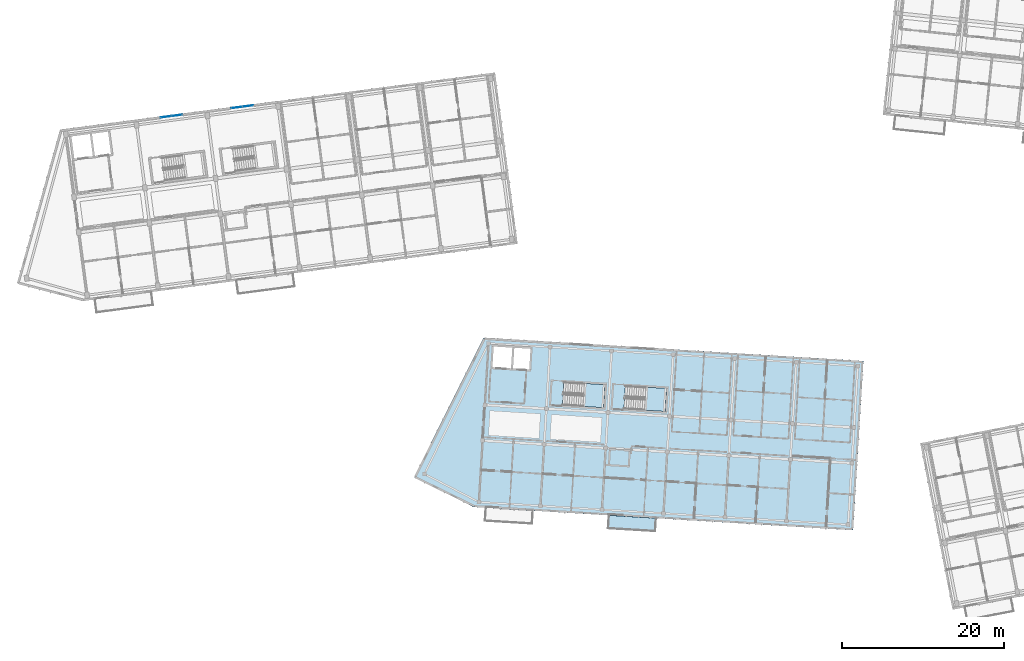
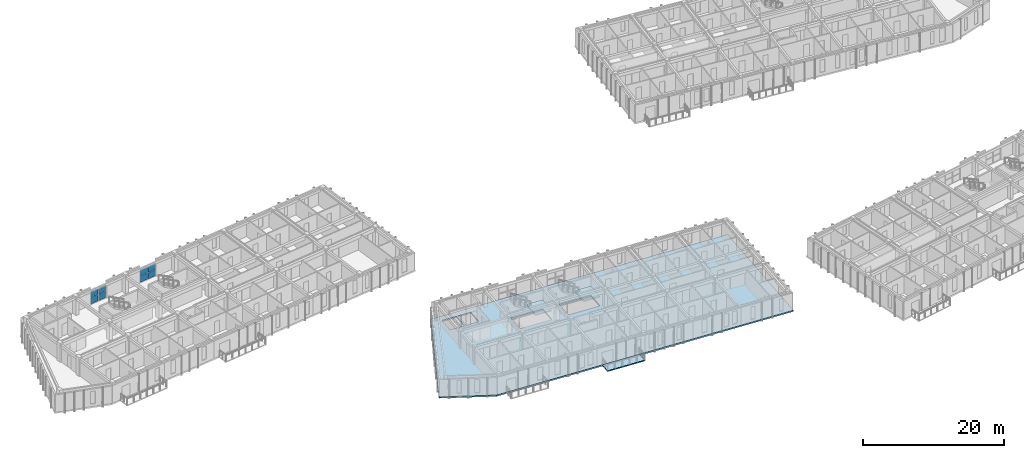
# One storey, part 17 of 66: 8 plates, 4 slabs, 4 elements without a shape of their own.
"""IFC4 building model written with IfcOpenShell, lengths in metres."""

from ifc_helpers import new_model, si_unit, direction, frame, origin, origin_2d, place, context, subcontext, project, spatial, polyline, rectangle, outline, extrude, material, layer, layer_set, type_object, element, aggregate, save


model = new_model("IFC4")

# Units and contexts
model_context = context("Model", 3, precision=1e-05, world=origin(), true_north=direction((0.0, 1.0)))
body_context = subcontext(model_context, "Body", "Model", "MODEL_VIEW")
ifc_project = project(units=[si_unit("LENGTHUNIT", "METRE"), si_unit("AREAUNIT", "SQUARE_METRE"), si_unit("VOLUMEUNIT", "CUBIC_METRE"), si_unit("PLANEANGLEUNIT", "RADIAN"), si_unit("MASSUNIT", "GRAM", prefix="KILO")], contexts=[model_context])

# Site, building, storey
site_placement = place(None, origin())
site = spatial("IfcSite", under=ifc_project, at=site_placement, CompositionType="ELEMENT")
building_placement = place(site_placement, origin())
building = spatial("IfcBuilding", under=site, at=building_placement, Name="Kestramere Prow Commons", CompositionType="ELEMENT")
storey_placement = place(building_placement, frame((0.0, 0.0, 14.89990234375)))
storey = spatial("IfcBuildingStorey", under=building, at=storey_placement, Name="L04", CompositionType="ELEMENT", Elevation=14.89990234375)

# Curtain wall, plates
ifc_material_1 = material(Name="Anodised Aluminium and Low-E Glass", Category="aluminium")
curtain_wall_type = type_object("IfcCurtainWallType", Name="CW-03 Glazed Curtain Wall 2830x2320", PredefinedType="USERDEFINED", material=ifc_material_1)
curtain_wall_1_placement = place(storey_placement, origin())
curtain_wall_1 = element("IfcCurtainWall", 1, at=curtain_wall_1_placement, inside=storey, type_object=curtain_wall_type, Name="Block A L04 Stairwell Vertical Glazing 2", ObjectType="GLAZED CURTAIN WALL", PredefinedType="USERDEFINED")
ifc_material_2 = material(Name="Low-E Laminated Double Glazing", Category="glass")
ifc_layer_1 = layer(ifc_material_2, 0.028076171875)
ifc_layer_set_1 = layer_set([ifc_layer_1], Name="Low-E Laminated Double Glazing")
plate_type = type_object("IfcPlateType", Name="CW-PNL-28", PredefinedType="CURTAIN_PANEL", material=ifc_layer_set_1)
plate_1_placement = place(storey_placement, frame((20.922607421875, 93.982177734375, 0.065185546875), z_axis=(0.0, 0.0, 1.0), x_axis=(0.991444867297, 0.13052614723, 0.0)))
plate_1 = element("IfcPlate", 2, at=plate_1_placement, type_object=plate_type, Name="CW-03 panel 1.1", PredefinedType="CURTAIN_PANEL", context=body_context, shape_type="SweptSolid", body=[
    extrude(rectangle(XDim=1.3173828125, YDim=0.028076171875, at=origin_2d()), origin(), (0.0, 0.0, 1.0), 1.0625),
])
plate_2_placement = place(storey_placement, frame((20.922607421875, 93.982177734375, 1.192626953125), z_axis=(0.0, 0.0, 1.0), x_axis=(0.991444867297, 0.13052614723, 0.0)))
plate_2 = element("IfcPlate", 3, at=plate_2_placement, type_object=plate_type, Name="CW-03 panel 1.2", PredefinedType="CURTAIN_PANEL", context=body_context, shape_type="SweptSolid", body=[
    extrude(rectangle(XDim=1.3173828125, YDim=0.028076171875, at=origin_2d()), origin(), (0.0, 0.0, 1.0), 1.0625),
])
plate_3_placement = place(storey_placement, frame((22.29345703125, 94.16259765625, 0.065185546875), z_axis=(0.0, 0.0, 1.0), x_axis=(0.991444867297, 0.13052614723, 0.0)))
plate_3 = element("IfcPlate", 4, at=plate_3_placement, type_object=plate_type, Name="CW-03 panel 2.1", PredefinedType="CURTAIN_PANEL", context=body_context, shape_type="SweptSolid", body=[
    extrude(rectangle(XDim=1.3173828125, YDim=0.028076171875, at=origin_2d()), origin(), (0.0, 0.0, 1.0), 1.0625),
])
plate_4_placement = place(storey_placement, frame((22.29345703125, 94.16259765625, 1.192626953125), z_axis=(0.0, 0.0, 1.0), x_axis=(0.991444867297, 0.13052614723, 0.0)))
plate_4 = element("IfcPlate", 5, at=plate_4_placement, type_object=plate_type, Name="CW-03 panel 2.2", PredefinedType="CURTAIN_PANEL", context=body_context, shape_type="SweptSolid", body=[
    extrude(rectangle(XDim=1.3173828125, YDim=0.028076171875, at=origin_2d()), origin(), (0.0, 0.0, 1.0), 1.0625),
])
aggregate(curtain_wall_1, [plate_1, plate_2, plate_3, plate_4])

curtain_wall_2_placement = place(storey_placement, origin())
curtain_wall_2 = element("IfcCurtainWall", 6, at=curtain_wall_2_placement, inside=storey, type_object=curtain_wall_type, Name="Block A L04 Stairwell Vertical Glazing 3", ObjectType="GLAZED CURTAIN WALL", PredefinedType="USERDEFINED")
plate_5_placement = place(storey_placement, frame((29.6474609375, 95.130859375, 0.065185546875), z_axis=(0.0, 0.0, 1.0), x_axis=(0.991444821571, 0.130526494555, 0.0)))
plate_5 = element("IfcPlate", 7, at=plate_5_placement, type_object=plate_type, Name="CW-03 panel 1.1", PredefinedType="CURTAIN_PANEL", context=body_context, shape_type="SweptSolid", body=[
    extrude(rectangle(XDim=1.3173828125, YDim=0.028076171875, at=origin_2d()), origin(), (0.0, 0.0, 1.0), 1.0625),
])
plate_6_placement = place(storey_placement, frame((29.6474609375, 95.130859375, 1.192626953125), z_axis=(0.0, 0.0, 1.0), x_axis=(0.991444821571, 0.130526494555, 0.0)))
plate_6 = element("IfcPlate", 8, at=plate_6_placement, type_object=plate_type, Name="CW-03 panel 1.2", PredefinedType="CURTAIN_PANEL", context=body_context, shape_type="SweptSolid", body=[
    extrude(rectangle(XDim=1.3173828125, YDim=0.028076171875, at=origin_2d()), origin(), (0.0, 0.0, 1.0), 1.0625),
])
plate_7_placement = place(storey_placement, frame((31.01806640625, 95.311279296875, 0.065185546875), z_axis=(0.0, 0.0, 1.0), x_axis=(0.991444821571, 0.130526494555, 0.0)))
plate_7 = element("IfcPlate", 9, at=plate_7_placement, type_object=plate_type, Name="CW-03 panel 2.1", PredefinedType="CURTAIN_PANEL", context=body_context, shape_type="SweptSolid", body=[
    extrude(rectangle(XDim=1.3173828125, YDim=0.028076171875, at=origin_2d()), origin(), (0.0, 0.0, 1.0), 1.0625),
])
plate_8_placement = place(storey_placement, frame((31.01806640625, 95.311279296875, 1.192626953125), z_axis=(0.0, 0.0, 1.0), x_axis=(0.991444821571, 0.130526494555, 0.0)))
plate_8 = element("IfcPlate", 10, at=plate_8_placement, type_object=plate_type, Name="CW-03 panel 2.2", PredefinedType="CURTAIN_PANEL", context=body_context, shape_type="SweptSolid", body=[
    extrude(rectangle(XDim=1.3173828125, YDim=0.028076171875, at=origin_2d()), origin(), (0.0, 0.0, 1.0), 1.0625),
])
aggregate(curtain_wall_2, [plate_5, plate_6, plate_7, plate_8])

# Slabs
ifc_material_3 = material(Name="Precast concrete C40/50", Category="concrete")
ifc_layer_2 = layer(ifc_material_3, 0.179931640625)
ifc_layer_set_2 = layer_set([ifc_layer_2], Name="Precast concrete C40/50")
slab_type_1 = type_object("IfcSlabType", Name="SL-BALC-180", PredefinedType="FLOOR", material=ifc_layer_set_2)
slab_1_placement = place(storey_placement, frame((0.0, 0.0, -0.179931640625)))
element("IfcSlab", 11, at=slab_1_placement, inside=storey, type_object=slab_type_1, Name="Block C L04 Apartment Balcony Slab 3", PredefinedType="FLOOR", context=body_context, shape_type="SweptSolid", body=[
    extrude(outline(polyline([(75.379638671875, 43.224365234375), (81.2685546875, 42.8642578125), (81.369384765625, 44.51123046875), (75.48046875, 44.871337890625), (75.379638671875, 43.224365234375)])), origin(), (0.0, 0.0, 1.0), 0.179931640625),
])
ifc_layer_3 = layer(ifc_material_3, 0.25)
ifc_layer_set_3 = layer_set([ifc_layer_3], Name="Precast concrete C40/50")
slab_type_2 = type_object("IfcSlabType", Name="SL-HC-250", PredefinedType="FLOOR", material=ifc_layer_set_3)
slab_2_placement = place(storey_placement, frame((0.0, 0.0, -0.25)))
element("IfcSlab", 12, at=slab_2_placement, inside=storey, type_object=slab_type_2, Name="Block C L04 Hollowcore Floor Slab", PredefinedType="FLOOR", context=body_context, shape_type="SweptSolid", body=[
    extrude(outline(polyline([(51.52392578125, 49.5927734375), (58.8115234375, 45.890869140625), (105.6240234375, 43.02783203125), (106.89990234375, 63.888671875), (60.08740234375, 66.751953125), (51.52392578125, 49.5927734375)]), holes=[polyline([(61.168212890625, 63.129150390625), (63.464111328125, 62.98876953125), (63.61962890625, 65.533935546875), (61.323974609375, 65.67431640625), (61.168212890625, 63.129150390625)]), polyline([(63.713623046875, 62.973388671875), (65.709716796875, 62.851318359375), (65.865478515625, 65.396728515625), (63.869140625, 65.518798828125), (63.713623046875, 62.973388671875)]), polyline([(69.79833984375, 58.443603515625), (74.888916015625, 58.13232421875), (75.062744140625, 60.976806640625), (69.972412109375, 61.288330078125), (69.79833984375, 58.443603515625)]), polyline([(77.38427734375, 57.9794921875), (82.474609375, 57.668212890625), (82.648681640625, 60.512939453125), (77.55810546875, 60.82421875), (77.38427734375, 57.9794921875)])]), origin(), (0.0, 0.0, 1.0), 0.25),
])

# Stair, slab
ifc_material_4 = material(Name="Concrete C40/50", Category="concrete")
stair_type = type_object("IfcStairType", Name="ST-DOG-1350", PredefinedType="HALF_TURN_STAIR", material=ifc_material_4)
stair_1_placement = place(storey_placement, origin())
stair_1 = element("IfcStair", 13, at=stair_1_placement, inside=storey, type_object=stair_type, Name="L04 Block C Exit Stair 1", PredefinedType="HALF_TURN_STAIR")
ifc_layer_4 = layer(ifc_material_4, 0.199951171875)
ifc_layer_set_4 = layer_set([ifc_layer_4], Name="Concrete C40/50")
slab_type_3 = type_object("IfcSlabType", Name="SL-ST-LAND-200", PredefinedType="LANDING", material=ifc_layer_set_4)
slab_3_placement = place(storey_placement, frame((0.0, 0.0, 1.425048828125)))
slab_3 = element("IfcSlab", 14, at=slab_3_placement, type_object=slab_type_3, Name="ST-C1 landing 1", PredefinedType="LANDING", context=body_context, shape_type="SweptSolid", body=[
    extrude(outline(polyline([(72.313720703125, 58.289794921875), (74.888916015625, 58.13232421875), (75.062744140625, 60.976806640625), (72.487548828125, 61.134521484375), (72.313720703125, 58.289794921875)])), origin(), (0.0, 0.0, 1.0), 0.199951171875),
])
aggregate(stair_1, [slab_3])

stair_2_placement = place(storey_placement, origin())
stair_2 = element("IfcStair", 15, at=stair_2_placement, inside=storey, type_object=stair_type, Name="L04 Block C Exit Stair 2", PredefinedType="HALF_TURN_STAIR")
slab_4_placement = place(storey_placement, frame((0.0, 0.0, 1.425048828125)))
slab_4 = element("IfcSlab", 16, at=slab_4_placement, type_object=slab_type_3, Name="ST-C2 landing 1", PredefinedType="LANDING", context=body_context, shape_type="SweptSolid", body=[
    extrude(outline(polyline([(79.8994140625, 57.82568359375), (82.474609375, 57.668212890625), (82.648681640625, 60.512939453125), (80.073486328125, 60.67041015625), (79.8994140625, 57.82568359375)])), origin(), (0.0, 0.0, 1.0), 0.199951171875),
])
aggregate(stair_2, [slab_4])

save(model, "model.ifc")
